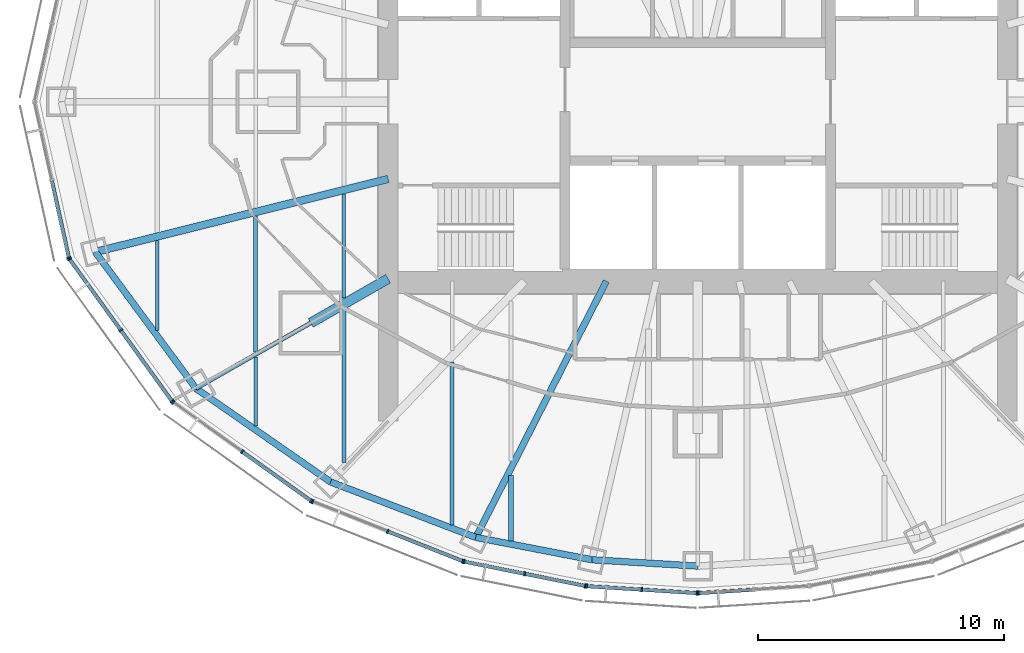
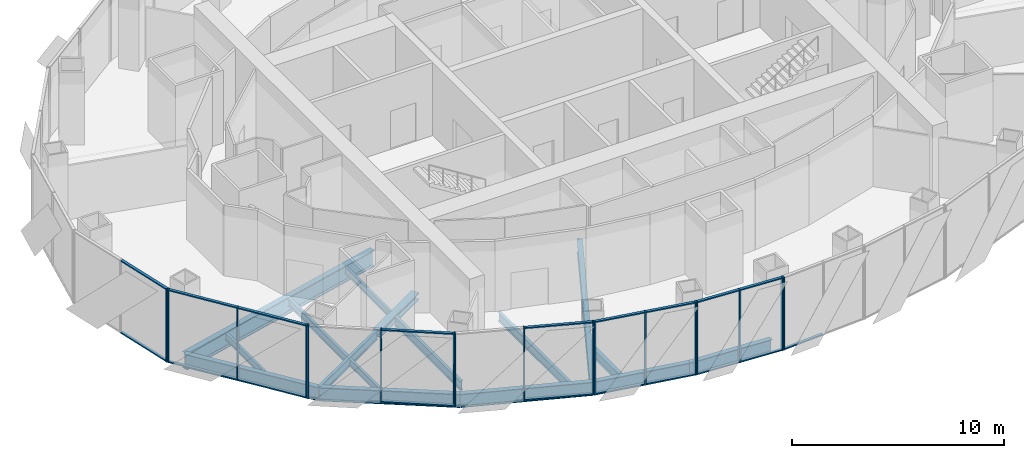
# One storey, part 2 of 17: 36 members, 16 beams, 7 elements without a shape of their own.
"""IFC4 building model written with IfcOpenShell, lengths in metres."""

from ifc_helpers import new_model, si_unit, direction, frame, origin, origin_2d, place, context, subcontext, project, spatial, rectangle, i_section, extrude, material, material_profile, profile_set, type_object, element, aggregate, save


model = new_model("IFC4")

# Units and contexts
model_context = context("Model", 3, precision=1e-05, world=origin(), true_north=direction((0.0, 1.0)))
body_context = subcontext(model_context, "Body", "Model", "MODEL_VIEW")
ifc_project = project(units=[si_unit("LENGTHUNIT", "METRE"), si_unit("AREAUNIT", "SQUARE_METRE"), si_unit("VOLUMEUNIT", "CUBIC_METRE"), si_unit("PLANEANGLEUNIT", "RADIAN"), si_unit("MASSUNIT", "GRAM", prefix="KILO")], contexts=[model_context])

# Site, building, storey
site_placement = place(None, origin())
site = spatial("IfcSite", under=ifc_project, at=site_placement, CompositionType="ELEMENT")
building_placement = place(site_placement, origin())
building = spatial("IfcBuilding", under=site, at=building_placement, Name="Lantaw Convention Tower", CompositionType="ELEMENT")
storey_placement = place(building_placement, frame((0.0, 0.0, 207.39990234375)))
storey = spatial("IfcBuildingStorey", under=building, at=storey_placement, Name="L48", CompositionType="ELEMENT", Elevation=207.39990234375)

# Beams
ifc_material_1 = material(Name="Steel ASTM A992", Category="steel")
ifc_material_profile_1 = material_profile(ifc_material_1, i_section(OverallWidth=0.2666015625, OverallDepth=0.76953125, WebThickness=0.015625, FlangeThickness=0.025390625, FilletRadius=0.0126953125, at=origin_2d()), Name="W30X132")
ifc_profile_set_1 = profile_set([ifc_material_profile_1], Name="Steel ASTM A992")
beam_type_1 = type_object("IfcBeamType", Name="Beam E W30X132", PredefinedType="SPANDREL", material=ifc_profile_set_1)
beam_1_placement = place(storey_placement, frame((-24.52197265625, -6.114013671875, -0.53466796875), z_axis=(0.593639188853, -0.804731329984, 0.0), x_axis=(0.804731329984, 0.593639188853, 0.0)))
element("IfcBeam", 1, at=beam_1_placement, inside=storey, type_object=beam_type_1, Name="Edge beam 14", PredefinedType="SPANDREL", context=body_context, shape_type="SweptSolid", body=[
    extrude(i_section(OverallWidth=0.2666015625, OverallDepth=0.76953125, WebThickness=0.015625, FlangeThickness=0.025390625, FilletRadius=0.0126953125, at=origin_2d()), origin(), (0.0, 0.0, 1.0), 6.904541015625),
])
beam_2_placement = place(storey_placement, frame((-20.423095703125, -11.67041015625, -0.53466796875), z_axis=(0.82135329406, -0.570419815869, 0.0), x_axis=(0.570419815869, 0.82135329406, 0.0)))
element("IfcBeam", 2, at=beam_2_placement, inside=storey, type_object=beam_type_1, Name="Edge beam 15", PredefinedType="SPANDREL", context=body_context, shape_type="SweptSolid", body=[
    extrude(i_section(OverallWidth=0.2666015625, OverallDepth=0.76953125, WebThickness=0.015625, FlangeThickness=0.025390625, FilletRadius=0.0126953125, at=origin_2d()), origin(), (0.0, 0.0, 1.0), 6.67041015625),
])
beam_3_placement = place(storey_placement, frame((-14.9443359375, -15.475341796875, -0.53466796875), z_axis=(0.934234988, -0.356658081637, 0.0), x_axis=(0.356658081637, 0.934234988, 0.0)))
element("IfcBeam", 3, at=beam_3_placement, inside=storey, type_object=beam_type_1, Name="Edge beam 16", PredefinedType="SPANDREL", context=body_context, shape_type="SweptSolid", body=[
    extrude(i_section(OverallWidth=0.2666015625, OverallDepth=0.76953125, WebThickness=0.015625, FlangeThickness=0.025390625, FilletRadius=0.0126953125, at=origin_2d()), origin(), (0.0, 0.0, 1.0), 6.32568359375),
])
beam_4_placement = place(storey_placement, frame((-9.03466796875, -17.7314453125, -0.53466796875), z_axis=(0.981972091702, -0.189025953556, 0.0), x_axis=(0.189025953556, 0.981972091702, 0.0)))
element("IfcBeam", 4, at=beam_4_placement, inside=storey, type_object=beam_type_1, Name="Edge beam 17", PredefinedType="SPANDREL", context=body_context, shape_type="SweptSolid", body=[
    extrude(i_section(OverallWidth=0.2666015625, OverallDepth=0.76953125, WebThickness=0.015625, FlangeThickness=0.025390625, FilletRadius=0.0126953125, at=origin_2d()), origin(), (0.0, 0.0, 1.0), 4.817626953125),
])
beam_5_placement = place(storey_placement, frame((-4.303955078125, -18.64208984375, -0.53466796875), z_axis=(0.998210730897, -0.059794119452, 0.0), x_axis=(0.059794119452, 0.998210730897, 0.0)))
element("IfcBeam", 5, at=beam_5_placement, inside=storey, type_object=beam_type_1, Name="Edge beam 18", PredefinedType="SPANDREL", context=body_context, shape_type="SweptSolid", body=[
    extrude(i_section(OverallWidth=0.2666015625, OverallDepth=0.76953125, WebThickness=0.015625, FlangeThickness=0.025390625, FilletRadius=0.0126953125, at=origin_2d()), origin(), (0.0, 0.0, 1.0), 4.311767578125),
])
ifc_material_profile_2 = material_profile(ifc_material_1, i_section(OverallWidth=0.1650390625, OverallDepth=0.52587890625, WebThickness=0.0087890625, FlangeThickness=0.011474609375, FilletRadius=0.0126953125, at=origin_2d()), Name="W21X44")
ifc_profile_set_2 = profile_set([ifc_material_profile_2], Name="Steel ASTM A992")
beam_type_2 = type_object("IfcBeamType", Name="Beam G W21X44", PredefinedType="BEAM", material=ifc_profile_set_2)
beam_6_placement = place(storey_placement, frame((-15.75, -9.0, -0.412841796875), z_axis=(-0.868237559289, -0.496148708192, 0.0), x_axis=(0.496148708192, -0.868237559289, 0.0)))
element("IfcBeam", 6, at=beam_6_placement, inside=storey, type_object=beam_type_2, Name="Floor girder on ray 15", PredefinedType="BEAM", context=body_context, shape_type="SweptSolid", body=[
    extrude(i_section(OverallWidth=0.1650390625, OverallDepth=0.52587890625, WebThickness=0.0087890625, FlangeThickness=0.011474609375, FilletRadius=0.0126953125, at=origin_2d()), origin(), (0.0, 0.0, 1.0), 5.38232421875),
])
ifc_material_profile_3 = material_profile(ifc_material_1, i_section(OverallWidth=0.2666015625, OverallDepth=0.7568359375, WebThickness=0.013916015625, FlangeThickness=0.019287109375, FilletRadius=0.0126953125, at=origin_2d()), Name="W30X108")
ifc_profile_set_3 = profile_set([ifc_material_profile_3], Name="Steel ASTM A992")
beam_type_3 = type_object("IfcBeamType", Name="Beam G W30X108", PredefinedType="BEAM", material=ifc_profile_set_3)
beam_7_placement = place(storey_placement, frame((-3.719482421875, -7.300048828125, -0.5283203125), z_axis=(-0.4539988787, -0.891002254845, 0.0), x_axis=(0.891002254845, -0.4539988787, 0.0)))
element("IfcBeam", 7, at=beam_7_placement, inside=storey, type_object=beam_type_3, Name="Floor girder on ray 17", PredefinedType="BEAM", context=body_context, shape_type="SweptSolid", body=[
    extrude(i_section(OverallWidth=0.2666015625, OverallDepth=0.7568359375, WebThickness=0.013916015625, FlangeThickness=0.019287109375, FilletRadius=0.0126953125, at=origin_2d()), origin(), (0.0, 0.0, 1.0), 11.70751953125),
])
ifc_material_profile_4 = material_profile(ifc_material_1, i_section(OverallWidth=0.307373046875, OverallDepth=0.9423828125, WebThickness=0.022216796875, FlangeThickness=0.039794921875, FilletRadius=0.0126953125, at=origin_2d()), Name="W36X232")
ifc_profile_set_4 = profile_set([ifc_material_profile_4], Name="Steel ASTM A992")
beam_type_4 = type_object("IfcBeamType", Name="Beam G W36X232", PredefinedType="BEAM", material=ifc_profile_set_4)
beam_8_placement = place(storey_placement, frame((-12.60009765625, -3.1416015625, -0.62109375), z_axis=(-0.970296589314, -0.241918434119, 0.0), x_axis=(0.241918434119, -0.970296589314, 0.0)))
element("IfcBeam", 8, at=beam_8_placement, inside=storey, type_object=beam_type_4, Name="Floor girder on ray 14", PredefinedType="BEAM", context=body_context, shape_type="SweptSolid", body=[
    extrude(i_section(OverallWidth=0.307373046875, OverallDepth=0.9423828125, WebThickness=0.022216796875, FlangeThickness=0.039794921875, FilletRadius=0.0126953125, at=origin_2d()), origin(), (0.0, 0.0, 1.0), 12.286865234375),
])
ifc_material_profile_5 = material_profile(ifc_material_1, i_section(OverallWidth=0.40380859375, OverallDepth=0.406494140625, WebThickness=0.027099609375, FlangeThickness=0.043701171875, FilletRadius=0.01513671875, at=origin_2d()), Name="W14X233")
ifc_profile_set_5 = profile_set([ifc_material_profile_5], Name="Steel ASTM A992")
beam_type_5 = type_object("IfcBeamType", Name="Beam GM W14X233", PredefinedType="BEAM", material=ifc_profile_set_5)
beam_9_placement = place(storey_placement, frame((-12.60009765625, -7.199951171875, -0.35302734375), z_axis=(-0.868230718294, -0.496160679428, 0.0), x_axis=(0.496160679428, -0.868230718294, 0.0)))
element("IfcBeam", 9, at=beam_9_placement, inside=storey, type_object=beam_type_5, Name="Core link beam on ray 15", PredefinedType="BEAM", context=body_context, shape_type="SweptSolid", body=[
    extrude(i_section(OverallWidth=0.40380859375, OverallDepth=0.406494140625, WebThickness=0.027099609375, FlangeThickness=0.043701171875, FilletRadius=0.01513671875, at=origin_2d()), origin(), (0.0, 0.0, 1.0), 3.6279296875),
])
ifc_material_profile_6 = material_profile(ifc_material_1, i_section(OverallWidth=0.140380859375, OverallDepth=0.40380859375, WebThickness=0.007080078125, FlangeThickness=0.01123046875, FilletRadius=0.01025390625, at=origin_2d()), Name="W16X31")
ifc_profile_set_6 = profile_set([ifc_material_profile_6], Name="Steel ASTM A992")
beam_type_6 = type_object("IfcBeamType", Name="Beam J W16X31", PredefinedType="JOIST", material=ifc_profile_set_6)
beam_10_placement = place(storey_placement, frame((-22.0, -9.30810546875, -0.351806640625), z_axis=(0.0, 1.0, 0.0), x_axis=(-1.0, 0.0, 0.0)))
element("IfcBeam", 10, at=beam_10_placement, inside=storey, type_object=beam_type_6, Name="Floor joist", PredefinedType="JOIST", context=body_context, shape_type="SweptSolid", body=[
    extrude(i_section(OverallWidth=0.140380859375, OverallDepth=0.40380859375, WebThickness=0.007080078125, FlangeThickness=0.01123046875, FilletRadius=0.01025390625, at=origin_2d()), origin(), (0.0, 0.0, 1.0), 3.66455078125),
])
beam_11_placement = place(storey_placement, frame((-18.0, -13.19091796875, -0.351806640625), z_axis=(0.0, 1.0, 0.0), x_axis=(-1.0, 0.0, 0.0)))
element("IfcBeam", 11, at=beam_11_placement, inside=storey, type_object=beam_type_6, Name="Floor joist", PredefinedType="JOIST", context=body_context, shape_type="SweptSolid", body=[
    extrude(i_section(OverallWidth=0.140380859375, OverallDepth=0.40380859375, WebThickness=0.007080078125, FlangeThickness=0.01123046875, FilletRadius=0.01025390625, at=origin_2d()), origin(), (0.0, 0.0, 1.0), 2.81005859375),
])
beam_12_placement = place(storey_placement, frame((-14.39990234375, -7.99609375, -0.351806640625), z_axis=(0.0, 1.0, 0.0), x_axis=(-1.0, 0.0, 0.0)))
element("IfcBeam", 12, at=beam_12_placement, inside=storey, type_object=beam_type_6, Name="Floor joist", PredefinedType="JOIST", context=body_context, shape_type="SweptSolid", body=[
    extrude(i_section(OverallWidth=0.140380859375, OverallDepth=0.40380859375, WebThickness=0.007080078125, FlangeThickness=0.01123046875, FilletRadius=0.01025390625, at=origin_2d()), origin(), (0.0, 0.0, 1.0), 4.247314453125),
])
ifc_material_profile_7 = material_profile(ifc_material_1, i_section(OverallWidth=0.15234375, OverallDepth=0.449462890625, WebThickness=0.007568359375, FlangeThickness=0.0107421875, FilletRadius=0.01025390625, at=origin_2d()), Name="W18X35")
ifc_profile_set_7 = profile_set([ifc_material_profile_7], Name="Steel ASTM A992")
beam_type_7 = type_object("IfcBeamType", Name="Beam J W18X35", PredefinedType="JOIST", material=ifc_profile_set_7)
beam_13_placement = place(storey_placement, frame((-18.0, -10.190673828125, -0.374755859375), z_axis=(0.0, 1.0, 0.0), x_axis=(-1.0, 0.0, 0.0)))
element("IfcBeam", 13, at=beam_13_placement, inside=storey, type_object=beam_type_7, Name="Floor joist", PredefinedType="JOIST", context=body_context, shape_type="SweptSolid", body=[
    extrude(i_section(OverallWidth=0.15234375, OverallDepth=0.449462890625, WebThickness=0.007568359375, FlangeThickness=0.0107421875, FilletRadius=0.01025390625, at=origin_2d()), origin(), (0.0, 0.0, 1.0), 5.54443359375),
])
ifc_material_profile_8 = material_profile(ifc_material_1, i_section(OverallWidth=0.1650390625, OverallDepth=0.52587890625, WebThickness=0.0087890625, FlangeThickness=0.011474609375, FilletRadius=0.0126953125, at=origin_2d()), Name="W21X44")
ifc_profile_set_8 = profile_set([ifc_material_profile_8], Name="Steel ASTM A992")
beam_type_8 = type_object("IfcBeamType", Name="Beam J W21X44", PredefinedType="JOIST", material=ifc_profile_set_8)
beam_14_placement = place(storey_placement, frame((-14.39990234375, -14.67578125, -0.412841796875), z_axis=(0.0, 1.0, 0.0), x_axis=(-1.0, 0.0, 0.0)))
element("IfcBeam", 14, at=beam_14_placement, inside=storey, type_object=beam_type_8, Name="Floor joist", PredefinedType="JOIST", context=body_context, shape_type="SweptSolid", body=[
    extrude(i_section(OverallWidth=0.1650390625, OverallDepth=0.52587890625, WebThickness=0.0087890625, FlangeThickness=0.011474609375, FilletRadius=0.0126953125, at=origin_2d()), origin(), (0.0, 0.0, 1.0), 6.214599609375),
])
beam_15_placement = place(storey_placement, frame((-10.0, -17.22021484375, -0.412841796875), z_axis=(0.0, 1.0, 0.0), x_axis=(-1.0, 0.0, 0.0)))
element("IfcBeam", 15, at=beam_15_placement, inside=storey, type_object=beam_type_8, Name="Floor joist", PredefinedType="JOIST", context=body_context, shape_type="SweptSolid", body=[
    extrude(i_section(OverallWidth=0.1650390625, OverallDepth=0.52587890625, WebThickness=0.0087890625, FlangeThickness=0.011474609375, FilletRadius=0.0126953125, at=origin_2d()), origin(), (0.0, 0.0, 1.0), 6.629150390625),
])
ifc_material_profile_9 = material_profile(ifc_material_1, i_section(OverallWidth=0.2099609375, OverallDepth=0.535888671875, WebThickness=0.010986328125, FlangeThickness=0.017333984375, FilletRadius=0.012939453125, at=origin_2d()), Name="W21X68")
ifc_profile_set_9 = profile_set([ifc_material_profile_9], Name="Steel ASTM A992")
beam_type_9 = type_object("IfcBeamType", Name="Beam J W21X68", PredefinedType="JOIST", material=ifc_profile_set_9)
beam_16_placement = place(storey_placement, frame((-7.60009765625, -17.871826171875, -0.41796875), z_axis=(0.0, 1.0, 0.0), x_axis=(-1.0, 0.0, 0.0)))
element("IfcBeam", 16, at=beam_16_placement, inside=storey, type_object=beam_type_9, Name="Floor joist", PredefinedType="JOIST", context=body_context, shape_type="SweptSolid", body=[
    extrude(i_section(OverallWidth=0.2099609375, OverallDepth=0.535888671875, WebThickness=0.010986328125, FlangeThickness=0.017333984375, FilletRadius=0.012939453125, at=origin_2d()), origin(), (0.0, 0.0, 1.0), 2.662353515625),
])

# Curtain wall, member
ifc_material_2 = material(Name="Aluminium framed curtain wall", Category="aluminium")
curtain_wall_type = type_object("IfcCurtainWallType", Name="Office curtain wall high rise, pale aluminium", PredefinedType="USERDEFINED", material=ifc_material_2)
curtain_wall_1_placement = place(storey_placement, origin())
curtain_wall_1 = element("IfcCurtainWall", 17, at=curtain_wall_1_placement, inside=storey, type_object=curtain_wall_type, Name="Office curtain wall high rise, pale aluminium L48", ObjectType="UNITISED CURTAIN WALL", PredefinedType="USERDEFINED")
ifc_material_3 = material(Name="Aluminium 6063-T6", Category="aluminium")
ifc_material_profile_10 = material_profile(ifc_material_3, rectangle(XDim=0.179931640625, YDim=0.06494140625, at=origin_2d()), Name="CW-O2 mullion 65x180")
ifc_profile_set_10 = profile_set([ifc_material_profile_10], Name="Aluminium 6063-T6")
member_type_1 = type_object("IfcMemberType", Name="CW-O2 mullion 65x180", PredefinedType="MULLION", material=ifc_profile_set_10)
member_1_placement = place(storey_placement, frame((-25.596435546875, -6.348388671875, -0.14990234375), z_axis=(0.0, 0.0, 1.0), x_axis=(0.976417396437, 0.215891333626, 0.0)))
member_1 = element("IfcMember", 18, at=member_1_placement, type_object=member_type_1, Name="CW-O2 mullion 3", PredefinedType="MULLION", context=body_context, shape_type="SweptSolid", body=[
    extrude(rectangle(XDim=0.179931640625, YDim=0.06494140625, at=origin_2d()), origin(), (0.0, 0.0, 1.0), 4.199951171875),
])

# Curtain wall, members
curtain_wall_2_placement = place(storey_placement, origin())
curtain_wall_2 = element("IfcCurtainWall", 19, at=curtain_wall_2_placement, inside=storey, type_object=curtain_wall_type, Name="Office curtain wall high rise, pale aluminium L48", ObjectType="UNITISED CURTAIN WALL", PredefinedType="USERDEFINED")
member_2_placement = place(storey_placement, frame((-25.5703125, -6.406494140625, -0.14990234375), z_axis=(0.0, 0.0, 1.0), x_axis=(0.810919559405, 0.585157643865, 0.0)))
member_2 = element("IfcMember", 20, at=member_2_placement, type_object=member_type_1, Name="CW-O2 mullion 1", PredefinedType="MULLION", context=body_context, shape_type="SweptSolid", body=[
    extrude(rectangle(XDim=0.179931640625, YDim=0.06494140625, at=origin_2d()), origin(), (0.0, 0.0, 1.0), 4.199951171875),
])
member_3_placement = place(storey_placement, frame((-23.483642578125, -9.298095703125, -0.14990234375), z_axis=(0.0, 0.0, 1.0), x_axis=(0.810919559405, 0.585157643865, 0.0)))
member_3 = element("IfcMember", 21, at=member_3_placement, type_object=member_type_1, Name="CW-O2 mullion 2", PredefinedType="MULLION", context=body_context, shape_type="SweptSolid", body=[
    extrude(rectangle(XDim=0.179931640625, YDim=0.06494140625, at=origin_2d()), origin(), (0.0, 0.0, 1.0), 4.199951171875),
])
member_4_placement = place(storey_placement, frame((-21.397216796875, -12.189697265625, -0.14990234375), z_axis=(0.0, 0.0, 1.0), x_axis=(0.810919559405, 0.585157643865, 0.0)))
member_4 = element("IfcMember", 22, at=member_4_placement, type_object=member_type_1, Name="CW-O2 mullion 3", PredefinedType="MULLION", context=body_context, shape_type="SweptSolid", body=[
    extrude(rectangle(XDim=0.179931640625, YDim=0.06494140625, at=origin_2d()), origin(), (0.0, 0.0, 1.0), 4.199951171875),
])

curtain_wall_3_placement = place(storey_placement, origin())
curtain_wall_3 = element("IfcCurtainWall", 23, at=curtain_wall_3_placement, inside=storey, type_object=curtain_wall_type, Name="Office curtain wall high rise, pale aluminium L48", ObjectType="UNITISED CURTAIN WALL", PredefinedType="USERDEFINED")
member_5_placement = place(storey_placement, frame((-21.3515625, -12.23486328125, -0.14990234375), z_axis=(0.0, 0.0, 1.0), x_axis=(0.581323487281, 0.813672540482, 0.0)))
member_5 = element("IfcMember", 24, at=member_5_placement, type_object=member_type_1, Name="CW-O2 mullion 1", PredefinedType="MULLION", context=body_context, shape_type="SweptSolid", body=[
    extrude(rectangle(XDim=0.179931640625, YDim=0.06494140625, at=origin_2d()), origin(), (0.0, 0.0, 1.0), 4.199951171875),
])
member_6_placement = place(storey_placement, frame((-18.543212890625, -14.241455078125, -0.14990234375), z_axis=(0.0, 0.0, 1.0), x_axis=(0.581323487281, 0.813672540482, 0.0)))
member_6 = element("IfcMember", 25, at=member_6_placement, type_object=member_type_1, Name="CW-O2 mullion 2", PredefinedType="MULLION", context=body_context, shape_type="SweptSolid", body=[
    extrude(rectangle(XDim=0.179931640625, YDim=0.06494140625, at=origin_2d()), origin(), (0.0, 0.0, 1.0), 4.199951171875),
])
member_7_placement = place(storey_placement, frame((-15.73486328125, -16.247802734375, -0.14990234375), z_axis=(0.0, 0.0, 1.0), x_axis=(0.581323487281, 0.813672540482, 0.0)))
member_7 = element("IfcMember", 26, at=member_7_placement, type_object=member_type_1, Name="CW-O2 mullion 3", PredefinedType="MULLION", context=body_context, shape_type="SweptSolid", body=[
    extrude(rectangle(XDim=0.179931640625, YDim=0.06494140625, at=origin_2d()), origin(), (0.0, 0.0, 1.0), 4.199951171875),
])

curtain_wall_4_placement = place(storey_placement, origin())
curtain_wall_4 = element("IfcCurtainWall", 27, at=curtain_wall_4_placement, inside=storey, type_object=curtain_wall_type, Name="Office curtain wall high rise, pale aluminium L48", ObjectType="UNITISED CURTAIN WALL", PredefinedType="USERDEFINED")
member_8_placement = place(storey_placement, frame((-15.67822265625, -16.278564453125, -0.14990234375), z_axis=(0.0, 0.0, 1.0), x_axis=(0.368162315252, 0.929761533743, 0.0)))
member_8 = element("IfcMember", 28, at=member_8_placement, type_object=member_type_1, Name="CW-O2 mullion 1", PredefinedType="MULLION", context=body_context, shape_type="SweptSolid", body=[
    extrude(rectangle(XDim=0.179931640625, YDim=0.06494140625, at=origin_2d()), origin(), (0.0, 0.0, 1.0), 4.199951171875),
])
member_9_placement = place(storey_placement, frame((-12.621337890625, -17.4892578125, -0.14990234375), z_axis=(0.0, 0.0, 1.0), x_axis=(0.368162315252, 0.929761533743, 0.0)))
member_9 = element("IfcMember", 29, at=member_9_placement, type_object=member_type_1, Name="CW-O2 mullion 2", PredefinedType="MULLION", context=body_context, shape_type="SweptSolid", body=[
    extrude(rectangle(XDim=0.179931640625, YDim=0.06494140625, at=origin_2d()), origin(), (0.0, 0.0, 1.0), 4.199951171875),
])
member_10_placement = place(storey_placement, frame((-9.564208984375, -18.69970703125, -0.14990234375), z_axis=(0.0, 0.0, 1.0), x_axis=(0.368162315252, 0.929761533743, 0.0)))
member_10 = element("IfcMember", 30, at=member_10_placement, type_object=member_type_1, Name="CW-O2 mullion 3", PredefinedType="MULLION", context=body_context, shape_type="SweptSolid", body=[
    extrude(rectangle(XDim=0.179931640625, YDim=0.06494140625, at=origin_2d()), origin(), (0.0, 0.0, 1.0), 4.199951171875),
])

curtain_wall_5_placement = place(storey_placement, origin())
curtain_wall_5 = element("IfcCurtainWall", 31, at=curtain_wall_5_placement, inside=storey, type_object=curtain_wall_type, Name="Office curtain wall high rise, pale aluminium L48", ObjectType="UNITISED CURTAIN WALL", PredefinedType="USERDEFINED")
member_11_placement = place(storey_placement, frame((-9.502197265625, -18.718017578125, -0.14990234375), z_axis=(0.0, 0.0, 1.0), x_axis=(0.197183095987, 0.980366679695, 0.0)))
member_11 = element("IfcMember", 32, at=member_11_placement, type_object=member_type_1, Name="CW-O2 mullion 1", PredefinedType="MULLION", context=body_context, shape_type="SweptSolid", body=[
    extrude(rectangle(XDim=0.179931640625, YDim=0.06494140625, at=origin_2d()), origin(), (0.0, 0.0, 1.0), 4.199951171875),
])
member_12_placement = place(storey_placement, frame((-7.042724609375, -19.212646484375, -0.14990234375), z_axis=(0.0, 0.0, 1.0), x_axis=(0.197183095987, 0.980366679695, 0.0)))
member_12 = element("IfcMember", 33, at=member_12_placement, type_object=member_type_1, Name="CW-O2 mullion 2", PredefinedType="MULLION", context=body_context, shape_type="SweptSolid", body=[
    extrude(rectangle(XDim=0.179931640625, YDim=0.06494140625, at=origin_2d()), origin(), (0.0, 0.0, 1.0), 4.199951171875),
])
member_13_placement = place(storey_placement, frame((-4.583251953125, -19.70751953125, -0.14990234375), z_axis=(0.0, 0.0, 1.0), x_axis=(0.197183095987, 0.980366679695, 0.0)))
member_13 = element("IfcMember", 34, at=member_13_placement, type_object=member_type_1, Name="CW-O2 mullion 3", PredefinedType="MULLION", context=body_context, shape_type="SweptSolid", body=[
    extrude(rectangle(XDim=0.179931640625, YDim=0.06494140625, at=origin_2d()), origin(), (0.0, 0.0, 1.0), 4.199951171875),
])

curtain_wall_6_placement = place(storey_placement, origin())
curtain_wall_6 = element("IfcCurtainWall", 35, at=curtain_wall_6_placement, inside=storey, type_object=curtain_wall_type, Name="Office curtain wall high rise, pale aluminium L48", ObjectType="UNITISED CURTAIN WALL", PredefinedType="USERDEFINED")
member_14_placement = place(storey_placement, frame((-4.518798828125, -19.7158203125, -0.14990234375), z_axis=(0.0, 0.0, 1.0), x_axis=(0.062757983884, 0.998028774865, 0.0)))
member_14 = element("IfcMember", 36, at=member_14_placement, type_object=member_type_1, Name="CW-O2 mullion 1", PredefinedType="MULLION", context=body_context, shape_type="SweptSolid", body=[
    extrude(rectangle(XDim=0.179931640625, YDim=0.06494140625, at=origin_2d()), origin(), (0.0, 0.0, 1.0), 4.199951171875),
])
member_15_placement = place(storey_placement, frame((-2.275634765625, -19.85693359375, -0.14990234375), z_axis=(0.0, 0.0, 1.0), x_axis=(0.062757983884, 0.998028774865, 0.0)))
member_15 = element("IfcMember", 37, at=member_15_placement, type_object=member_type_1, Name="CW-O2 mullion 2", PredefinedType="MULLION", context=body_context, shape_type="SweptSolid", body=[
    extrude(rectangle(XDim=0.179931640625, YDim=0.06494140625, at=origin_2d()), origin(), (0.0, 0.0, 1.0), 4.199951171875),
])
member_16_placement = place(storey_placement, frame((-0.032470703125, -19.998046875, -0.14990234375), z_axis=(0.0, 0.0, 1.0), x_axis=(0.062757983884, 0.998028774865, 0.0)))
member_16 = element("IfcMember", 38, at=member_16_placement, type_object=member_type_1, Name="CW-O2 mullion 3", PredefinedType="MULLION", context=body_context, shape_type="SweptSolid", body=[
    extrude(rectangle(XDim=0.179931640625, YDim=0.06494140625, at=origin_2d()), origin(), (0.0, 0.0, 1.0), 4.199951171875),
])

# Curtain wall, member
curtain_wall_7_placement = place(storey_placement, origin())
curtain_wall_7 = element("IfcCurtainWall", 39, at=curtain_wall_7_placement, inside=storey, type_object=curtain_wall_type, Name="Office curtain wall high rise, pale aluminium L48", ObjectType="UNITISED CURTAIN WALL", PredefinedType="USERDEFINED")
member_17_placement = place(storey_placement, frame((0.032470703125, -19.998046875, -0.14990234375), z_axis=(0.0, 0.0, 1.0), x_axis=(-0.062757983884, 0.998028774865, 0.0)))
member_17 = element("IfcMember", 40, at=member_17_placement, type_object=member_type_1, Name="CW-O2 mullion 1", PredefinedType="MULLION", context=body_context, shape_type="SweptSolid", body=[
    extrude(rectangle(XDim=0.179931640625, YDim=0.06494140625, at=origin_2d()), origin(), (0.0, 0.0, 1.0), 4.199951171875),
])

# Member
ifc_material_profile_11 = material_profile(ifc_material_3, rectangle(XDim=0.14990234375, YDim=0.06494140625, at=origin_2d()), Name="CW-O2 transom 65x150")
ifc_profile_set_11 = profile_set([ifc_material_profile_11], Name="Aluminium 6063-T6")
member_type_2 = type_object("IfcMemberType", Name="CW-O2 transom 65x150", PredefinedType="USERDEFINED", material=ifc_profile_set_11)
member_18_placement = place(storey_placement, frame((-26.28759765625, -3.2216796875, -0.117431640625), z_axis=(0.215894607042, -0.976416672661, 0.0), x_axis=(0.976416672661, 0.215894607042, 0.0)))
member_18 = element("IfcMember", 41, at=member_18_placement, type_object=member_type_2, Name="CW-O2 transom 2.1", ObjectType="TRANSOM", PredefinedType="USERDEFINED", context=body_context, shape_type="SweptSolid", body=[
    extrude(rectangle(XDim=0.14990234375, YDim=0.06494140625, at=origin_2d()), origin(), (0.0, 0.0, 1.0), 3.169677734375),
])

member_19_placement = place(storey_placement, frame((-26.28759765625, -3.2216796875, 4.017578125), z_axis=(0.215894607042, -0.976416672661, 0.0), x_axis=(0.976416672661, 0.215894607042, 0.0)))
member_19 = element("IfcMember", 42, at=member_19_placement, type_object=member_type_2, Name="CW-O2 transom 2.2", ObjectType="TRANSOM", PredefinedType="USERDEFINED", context=body_context, shape_type="SweptSolid", body=[
    extrude(rectangle(XDim=0.14990234375, YDim=0.06494140625, at=origin_2d()), origin(), (0.0, 0.0, 1.0), 3.169677734375),
])

aggregate(curtain_wall_1, [member_1, member_18, member_19])

member_20_placement = place(storey_placement, frame((-25.55126953125, -6.432861328125, -0.117431640625), z_axis=(0.585169685931, -0.810910869743, 0.0), x_axis=(0.810910869743, 0.585169685931, 0.0)))
member_20 = element("IfcMember", 43, at=member_20_placement, type_object=member_type_2, Name="CW-O2 transom 1.1", ObjectType="TRANSOM", PredefinedType="USERDEFINED", context=body_context, shape_type="SweptSolid", body=[
    extrude(rectangle(XDim=0.14990234375, YDim=0.06494140625, at=origin_2d()), origin(), (0.0, 0.0, 1.0), 3.500732421875),
])

member_21_placement = place(storey_placement, frame((-25.55126953125, -6.432861328125, 4.017578125), z_axis=(0.585169685931, -0.810910869743, 0.0), x_axis=(0.810910869743, 0.585169685931, 0.0)))
member_21 = element("IfcMember", 44, at=member_21_placement, type_object=member_type_2, Name="CW-O2 transom 1.2", ObjectType="TRANSOM", PredefinedType="USERDEFINED", context=body_context, shape_type="SweptSolid", body=[
    extrude(rectangle(XDim=0.14990234375, YDim=0.06494140625, at=origin_2d()), origin(), (0.0, 0.0, 1.0), 3.500732421875),
])

member_22_placement = place(storey_placement, frame((-23.464599609375, -9.324462890625, -0.117431640625), z_axis=(0.585123825205, -0.810943961798, 0.0), x_axis=(0.810943961798, 0.585123825205, 0.0)))
member_22 = element("IfcMember", 45, at=member_22_placement, type_object=member_type_2, Name="CW-O2 transom 2.1", ObjectType="TRANSOM", PredefinedType="USERDEFINED", context=body_context, shape_type="SweptSolid", body=[
    extrude(rectangle(XDim=0.14990234375, YDim=0.06494140625, at=origin_2d()), origin(), (0.0, 0.0, 1.0), 3.500732421875),
])

member_23_placement = place(storey_placement, frame((-23.464599609375, -9.324462890625, 4.017578125), z_axis=(0.585123825205, -0.810943961798, 0.0), x_axis=(0.810943961798, 0.585123825205, 0.0)))
member_23 = element("IfcMember", 46, at=member_23_placement, type_object=member_type_2, Name="CW-O2 transom 2.2", ObjectType="TRANSOM", PredefinedType="USERDEFINED", context=body_context, shape_type="SweptSolid", body=[
    extrude(rectangle(XDim=0.14990234375, YDim=0.06494140625, at=origin_2d()), origin(), (0.0, 0.0, 1.0), 3.500732421875),
])

aggregate(curtain_wall_2, [member_2, member_3, member_4, member_20, member_21, member_22, member_23])

member_24_placement = place(storey_placement, frame((-18.516845703125, -14.26025390625, -0.117431640625), z_axis=(0.813645780821, -0.581360940683, 0.0), x_axis=(0.581360940683, 0.813645780821, 0.0)))
member_24 = element("IfcMember", 47, at=member_24_placement, type_object=member_type_2, Name="CW-O2 transom 2.1", ObjectType="TRANSOM", PredefinedType="USERDEFINED", context=body_context, shape_type="SweptSolid", body=[
    extrude(rectangle(XDim=0.14990234375, YDim=0.06494140625, at=origin_2d()), origin(), (0.0, 0.0, 1.0), 3.386474609375),
])

member_25_placement = place(storey_placement, frame((-18.516845703125, -14.26025390625, 4.017578125), z_axis=(0.813645780821, -0.581360940683, 0.0), x_axis=(0.581360940683, 0.813645780821, 0.0)))
member_25 = element("IfcMember", 48, at=member_25_placement, type_object=member_type_2, Name="CW-O2 transom 2.2", ObjectType="TRANSOM", PredefinedType="USERDEFINED", context=body_context, shape_type="SweptSolid", body=[
    extrude(rectangle(XDim=0.14990234375, YDim=0.06494140625, at=origin_2d()), origin(), (0.0, 0.0, 1.0), 3.386474609375),
])

aggregate(curtain_wall_3, [member_5, member_6, member_7, member_24, member_25])

member_26_placement = place(storey_placement, frame((-12.591064453125, -17.501220703125, -0.117431640625), z_axis=(0.929766642946, -0.368149412149, 0.0), x_axis=(0.368149412149, 0.929766642946, 0.0)))
member_26 = element("IfcMember", 49, at=member_26_placement, type_object=member_type_2, Name="CW-O2 transom 2.1", ObjectType="TRANSOM", PredefinedType="USERDEFINED", context=body_context, shape_type="SweptSolid", body=[
    extrude(rectangle(XDim=0.14990234375, YDim=0.06494140625, at=origin_2d()), origin(), (0.0, 0.0, 1.0), 3.222900390625),
])

member_27_placement = place(storey_placement, frame((-12.591064453125, -17.501220703125, 4.017578125), z_axis=(0.929766642946, -0.368149412149, 0.0), x_axis=(0.368149412149, 0.929766642946, 0.0)))
member_27 = element("IfcMember", 50, at=member_27_placement, type_object=member_type_2, Name="CW-O2 transom 2.2", ObjectType="TRANSOM", PredefinedType="USERDEFINED", context=body_context, shape_type="SweptSolid", body=[
    extrude(rectangle(XDim=0.14990234375, YDim=0.06494140625, at=origin_2d()), origin(), (0.0, 0.0, 1.0), 3.222900390625),
])

aggregate(curtain_wall_4, [member_8, member_9, member_10, member_26, member_27])

member_28_placement = place(storey_placement, frame((-9.47021484375, -18.724365234375, -0.117431640625), z_axis=(0.98036104319, -0.197211117829, 0.0), x_axis=(0.197211117829, 0.98036104319, 0.0)))
member_28 = element("IfcMember", 51, at=member_28_placement, type_object=member_type_2, Name="CW-O2 transom 1.1", ObjectType="TRANSOM", PredefinedType="USERDEFINED", context=body_context, shape_type="SweptSolid", body=[
    extrude(rectangle(XDim=0.14990234375, YDim=0.06494140625, at=origin_2d()), origin(), (0.0, 0.0, 1.0), 2.44384765625),
])

member_29_placement = place(storey_placement, frame((-9.47021484375, -18.724365234375, 4.017578125), z_axis=(0.98036104319, -0.197211117829, 0.0), x_axis=(0.197211117829, 0.98036104319, 0.0)))
member_29 = element("IfcMember", 52, at=member_29_placement, type_object=member_type_2, Name="CW-O2 transom 1.2", ObjectType="TRANSOM", PredefinedType="USERDEFINED", context=body_context, shape_type="SweptSolid", body=[
    extrude(rectangle(XDim=0.14990234375, YDim=0.06494140625, at=origin_2d()), origin(), (0.0, 0.0, 1.0), 2.44384765625),
])

member_30_placement = place(storey_placement, frame((-7.0107421875, -19.21923828125, -0.117431640625), z_axis=(0.980380354178, -0.197115096178, 0.0), x_axis=(0.197115096178, 0.980380354178, 0.0)))
member_30 = element("IfcMember", 53, at=member_30_placement, type_object=member_type_2, Name="CW-O2 transom 2.1", ObjectType="TRANSOM", PredefinedType="USERDEFINED", context=body_context, shape_type="SweptSolid", body=[
    extrude(rectangle(XDim=0.14990234375, YDim=0.06494140625, at=origin_2d()), origin(), (0.0, 0.0, 1.0), 2.443603515625),
])

member_31_placement = place(storey_placement, frame((-7.0107421875, -19.21923828125, 4.017578125), z_axis=(0.980380354178, -0.197115096178, 0.0), x_axis=(0.197115096178, 0.980380354178, 0.0)))
member_31 = element("IfcMember", 54, at=member_31_placement, type_object=member_type_2, Name="CW-O2 transom 2.2", ObjectType="TRANSOM", PredefinedType="USERDEFINED", context=body_context, shape_type="SweptSolid", body=[
    extrude(rectangle(XDim=0.14990234375, YDim=0.06494140625, at=origin_2d()), origin(), (0.0, 0.0, 1.0), 2.443603515625),
])

aggregate(curtain_wall_5, [member_11, member_12, member_13, member_28, member_29, member_30, member_31])

member_32_placement = place(storey_placement, frame((-4.486328125, -19.7177734375, -0.117431640625), z_axis=(0.998021991509, -0.062865765437, 0.0), x_axis=(0.062865765437, 0.998021991509, 0.0)))
member_32 = element("IfcMember", 55, at=member_32_placement, type_object=member_type_2, Name="CW-O2 transom 1.1", ObjectType="TRANSOM", PredefinedType="USERDEFINED", context=body_context, shape_type="SweptSolid", body=[
    extrude(rectangle(XDim=0.14990234375, YDim=0.06494140625, at=origin_2d()), origin(), (0.0, 0.0, 1.0), 2.1826171875),
])

member_33_placement = place(storey_placement, frame((-4.486328125, -19.7177734375, 4.017578125), z_axis=(0.998021991509, -0.062865765437, 0.0), x_axis=(0.062865765437, 0.998021991509, 0.0)))
member_33 = element("IfcMember", 56, at=member_33_placement, type_object=member_type_2, Name="CW-O2 transom 1.2", ObjectType="TRANSOM", PredefinedType="USERDEFINED", context=body_context, shape_type="SweptSolid", body=[
    extrude(rectangle(XDim=0.14990234375, YDim=0.06494140625, at=origin_2d()), origin(), (0.0, 0.0, 1.0), 2.1826171875),
])

member_34_placement = place(storey_placement, frame((-2.2431640625, -19.85888671875, -0.117431640625), z_axis=(0.998029003644, -0.062754345555, 0.0), x_axis=(0.062754345555, 0.998029003644, 0.0)))
member_34 = element("IfcMember", 57, at=member_34_placement, type_object=member_type_2, Name="CW-O2 transom 2.1", ObjectType="TRANSOM", PredefinedType="USERDEFINED", context=body_context, shape_type="SweptSolid", body=[
    extrude(rectangle(XDim=0.14990234375, YDim=0.06494140625, at=origin_2d()), origin(), (0.0, 0.0, 1.0), 2.1826171875),
])

member_35_placement = place(storey_placement, frame((-2.2431640625, -19.85888671875, 4.017578125), z_axis=(0.998029003644, -0.062754345555, 0.0), x_axis=(0.062754345555, 0.998029003644, 0.0)))
member_35 = element("IfcMember", 58, at=member_35_placement, type_object=member_type_2, Name="CW-O2 transom 2.2", ObjectType="TRANSOM", PredefinedType="USERDEFINED", context=body_context, shape_type="SweptSolid", body=[
    extrude(rectangle(XDim=0.14990234375, YDim=0.06494140625, at=origin_2d()), origin(), (0.0, 0.0, 1.0), 2.1826171875),
])

aggregate(curtain_wall_6, [member_14, member_15, member_16, member_32, member_33, member_34, member_35])

member_36_placement = place(storey_placement, frame((0.06494140625, -19.995849609375, -0.117431640625), z_axis=(0.998029003644, 0.062754345555, 0.0), x_axis=(-0.062754345555, 0.998029003644, 0.0)))
member_36 = element("IfcMember", 59, at=member_36_placement, type_object=member_type_2, Name="CW-O2 transom 1.1", ObjectType="TRANSOM", PredefinedType="USERDEFINED", context=body_context, shape_type="SweptSolid", body=[
    extrude(rectangle(XDim=0.14990234375, YDim=0.06494140625, at=origin_2d()), origin(), (0.0, 0.0, 1.0), 2.1826171875),
])

aggregate(curtain_wall_7, [member_17, member_36])

save(model, "model.ifc")
